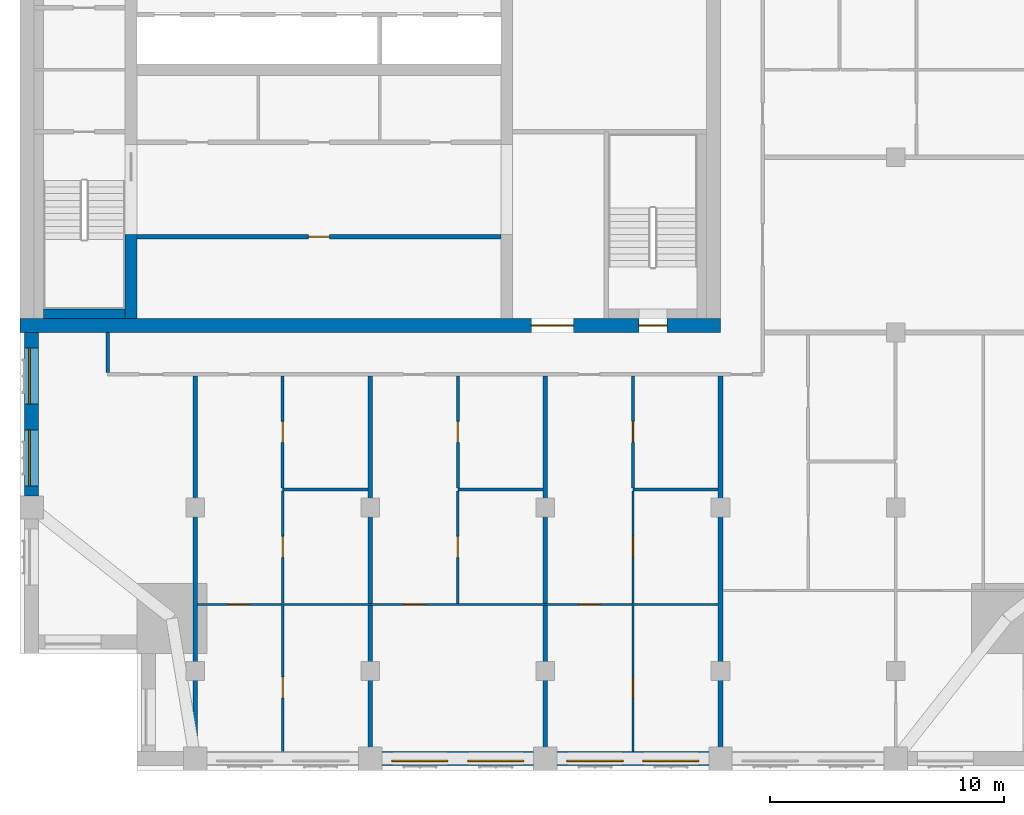
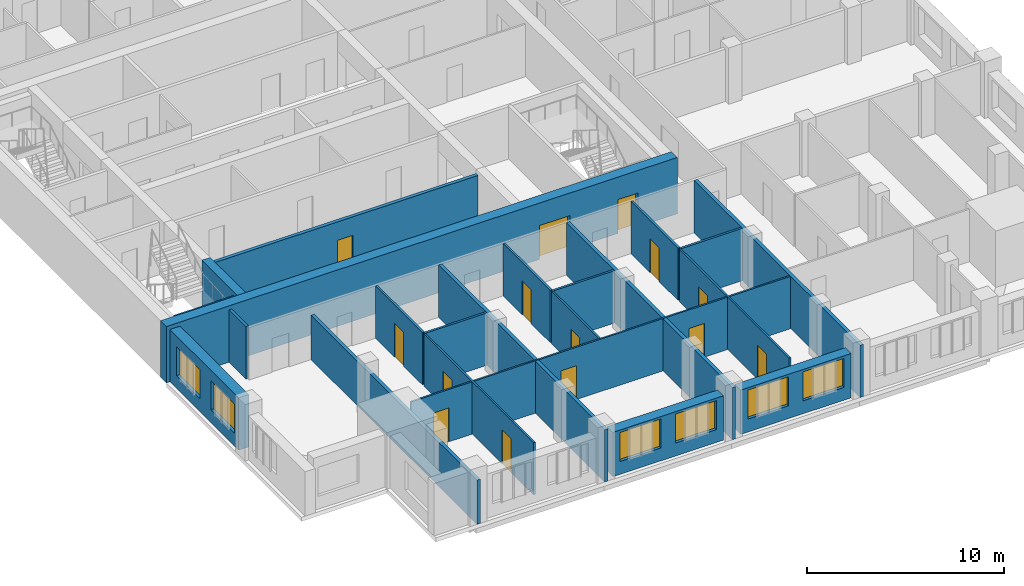
# One storey, part 3 of 11: 22 walls, 14 doors, 6 windows, 20 openings.
"""IFC4 building model written with IfcOpenShell, lengths in metres."""

import ifcopenshell
import ifcopenshell.guid

model = None  # the IFC model being written
_history = None  # IfcOwnerHistory: only IFC2X3 demands one
_inside = {}  # id of a spatial element -> (the spatial element, [elements in it])
_under = {}  # id of a project, library or spatial element -> (it, [spatial elements below it])
_declared = {}  # id of a project -> (the project, [libraries it declares])
_typed = {}  # id of a type object -> (the type object, [elements of that type])
_made_of = {}  # id of a material, layer set ... -> (it, [elements and type objects made of it])


def new_model(schema):
    """Start an empty IFC model of exactly this schema.

    Asked for "IFC4X3", IfcOpenShell would pick the latest addendum, in which some entities
    have other attributes; the version numbers below select the first issue.
    IFC2X3 requires an IfcOwnerHistory on every rooted entity: one is made here for all.
    """
    global model, _history
    if schema == "IFC4X3":
        model = ifcopenshell.file(schema_version=(4, 3, 0, 0))
    else:
        model = ifcopenshell.file(schema=schema)
    _inside.clear()
    _under.clear()
    _declared.clear()
    _typed.clear()
    _made_of.clear()
    _history = None
    if model.schema == "IFC2X3":
        org = make("IfcOrganization", Name="unknown")
        user = make(
            "IfcPersonAndOrganization",
            ThePerson=make("IfcPerson", FamilyName="unknown"),
            TheOrganization=org,
        )
        app = make(
            "IfcApplication",
            ApplicationDeveloper=org,
            Version="unknown",
            ApplicationFullName="unknown",
            ApplicationIdentifier="unknown",
        )
        _history = make(
            "IfcOwnerHistory",
            OwningUser=user,
            OwningApplication=app,
            ChangeAction="ADDED",
            CreationDate=0,
        )
    return model


def make(cls, **values):
    """One entity of the class cls with the attributes given. An attribute that is None is left unset."""
    return model.create_entity(
        cls, **{name: value for name, value in values.items() if value is not None}
    )


def rooted(cls, **values):
    """An entity with a GlobalId (a new one), such as an element, a storey or a relation."""
    return make(cls, GlobalId=ifcopenshell.guid.new(), OwnerHistory=_history, **values)


def si_unit(unit_type, name, prefix=None):
    """IfcSIUnit, for example si_unit("LENGTHUNIT", "METRE", prefix="MILLI")."""
    return make("IfcSIUnit", UnitType=unit_type, Prefix=prefix, Name=name)


def assignment(units):
    """IfcUnitAssignment: the units of a project."""
    return None if units is None else make("IfcUnitAssignment", Units=units)


def point(xyz):
    """IfcCartesianPoint."""
    return None if xyz is None else make("IfcCartesianPoint", Coordinates=xyz)


def direction(xyz):
    """IfcDirection."""
    return None if xyz is None else make("IfcDirection", DirectionRatios=xyz)


def frame(location, z_axis=None, x_axis=None):
    """IfcAxis2Placement3D, a coordinate frame: its origin and axes. An axis left out is left unset."""
    return make(
        "IfcAxis2Placement3D",
        Location=point(location),
        Axis=direction(z_axis),
        RefDirection=direction(x_axis),
    )


def frame_2d(location, x_axis=None):
    """IfcAxis2Placement2D, a coordinate frame in the plane: its origin and x axis."""
    return make(
        "IfcAxis2Placement2D", Location=point(location), RefDirection=direction(x_axis)
    )


def origin():
    """The frame at (0, 0, 0) with its axes left unset."""
    return frame((0.0, 0.0, 0.0))


def place(relative_to, where):
    """IfcLocalPlacement: puts the frame where relative to a parent placement (None: the world)."""
    return make(
        "IfcLocalPlacement", PlacementRelTo=relative_to, RelativePlacement=where
    )


def context(
    kind, dimensions, precision=None, world=None, true_north=None, identifier=None
):
    """IfcGeometricRepresentationContext, for example the 3D "Model" context."""
    return make(
        "IfcGeometricRepresentationContext",
        ContextIdentifier=identifier,
        ContextType=kind,
        CoordinateSpaceDimension=dimensions,
        Precision=precision,
        WorldCoordinateSystem=world,
        TrueNorth=true_north,
    )


def subcontext(parent, identifier, kind, view, scale=None):
    """IfcGeometricRepresentationSubContext, for example "Body" below "Model"."""
    return make(
        "IfcGeometricRepresentationSubContext",
        ContextIdentifier=identifier,
        ContextType=kind,
        ParentContext=parent,
        TargetScale=scale,
        TargetView=view,
    )


def project(units=None, contexts=None):
    """IfcProject with its units and contexts."""
    return rooted(
        "IfcProject",
        Name="project",
        RepresentationContexts=contexts,
        UnitsInContext=assignment(units),
    )


def spatial(cls, under=None, at=None, **own):
    """A site, building, storey or space (cls), placed at a placement, below another one or the project."""
    s = rooted(cls, ObjectPlacement=at, **own)
    if under is not None:
        _under.setdefault(under.id(), (under, []))[1].append(s)
    return s


def profile(cls, at=None, kind="AREA", **sizes):
    """A parametric profile (cls). Its sizes go by their IFC names, for example OverallWidth=200.0."""
    return make(cls, ProfileType=kind, Position=at, **sizes)


def rectangle(**sizes):
    """IfcRectangleProfileDef."""
    return profile("IfcRectangleProfileDef", **sizes)


def extrude(swept, where, along, depth):
    """IfcExtrudedAreaSolid: the profile swept, set in the frame where, extruded along a direction by depth."""
    return make(
        "IfcExtrudedAreaSolid",
        SweptArea=swept,
        Position=where,
        ExtrudedDirection=direction(along),
        Depth=depth,
    )


def shape(context_of_items, identifier, shape_type, items):
    """IfcShapeRepresentation: the items that make up one representation, for example the "Body"."""
    return make(
        "IfcShapeRepresentation",
        ContextOfItems=context_of_items,
        RepresentationIdentifier=identifier,
        RepresentationType=shape_type,
        Items=items,
    )


def material(Name=None, Category=None):
    """IfcMaterial."""
    return make("IfcMaterial", Name=Name, Category=Category)


def layer(
    of_material, thickness, ventilated=None, Name=None, Category=None, Priority=None
):
    """IfcMaterialLayer: one layer of a wall or slab, of a material (None: an air gap)."""
    return make(
        "IfcMaterialLayer",
        Material=of_material,
        LayerThickness=thickness,
        IsVentilated=ventilated,
        Name=Name,
        Category=Category,
        Priority=Priority,
    )


def layer_set(layers, Name=None):
    """IfcMaterialLayerSet."""
    return make("IfcMaterialLayerSet", MaterialLayers=layers, LayerSetName=Name)


def made_of(thing, what):
    """Note that an element or type object is made of a material, layer set ...; save() writes the relation."""
    if what is not None:
        _made_of.setdefault(what.id(), (what, []))[1].append(thing)
    return thing


def type_object(cls, material=None, **own):
    """A type object (cls), such as IfcWallType, which elements share."""
    return made_of(rooted(cls, **own), material)


def element(
    cls,
    number,
    at=None,
    inside=None,
    cuts=None,
    type_object=None,
    material=None,
    context=None,
    identifier="Body",
    shape_type=None,
    held_by="IfcProductDefinitionShape",
    body=None,
    shapes=None,
    **own,
):
    """One element of the class cls, such as IfcWall. Its Tag is "e" and its number.

    at: its placement. inside: the storey or other place that contains it. cuts: it is an
    opening in that element (IfcRelVoidsElement). A single representation is given by context,
    identifier, shape_type and body (its items); several are given by shapes. held_by: the class
    of the entity that holds the representations. save() writes the other relations.
    """
    e = rooted(cls, Tag="e%d" % number, ObjectPlacement=at, **own)
    if body is not None:
        shapes = [shape(context, identifier, shape_type, body)]
    if shapes is not None:
        e.Representation = make(held_by, Representations=shapes)
    if inside is not None:
        _inside.setdefault(inside.id(), (inside, []))[1].append(e)
    if cuts is not None:
        rooted(
            "IfcRelVoidsElement", RelatingBuildingElement=cuts, RelatedOpeningElement=e
        )
    if type_object is not None:
        _typed.setdefault(type_object.id(), (type_object, []))[1].append(e)
    return made_of(e, material)


def fill(opening, filler):
    """IfcRelFillsElement: the door or window that sits in an opening."""
    return rooted(
        "IfcRelFillsElement",
        RelatingOpeningElement=opening,
        RelatedBuildingElement=filler,
    )


def aggregate(whole, parts):
    """IfcRelAggregates: a whole, such as a stair, and the parts it consists of."""
    return rooted("IfcRelAggregates", RelatingObject=whole, RelatedObjects=parts)


def save(model, path):
    """Write the relations noted so far, then the file.

    IfcRelAggregates (storeys below a building ...), IfcRelContainedInSpatialStructure (elements
    in a storey), IfcRelDefinesByType, IfcRelAssociatesMaterial and IfcRelDeclares: one each for
    every whole, place, type object, material and project.
    """
    for whole, parts in _under.values():
        aggregate(whole, parts)
    for where, things in _inside.values():
        rooted(
            "IfcRelContainedInSpatialStructure",
            RelatedElements=things,
            RelatingStructure=where,
        )
    for kind, things in _typed.values():
        rooted("IfcRelDefinesByType", RelatedObjects=things, RelatingType=kind)
    for what, things in _made_of.values():
        rooted("IfcRelAssociatesMaterial", RelatedObjects=things, RelatingMaterial=what)
    for by, libraries in _declared.values():
        rooted("IfcRelDeclares", RelatingContext=by, RelatedDefinitions=libraries)
    model.write(path)


model = new_model("IFC4")

# Units and contexts
model_context = context("Model", 3, precision=1e-05, world=origin(), true_north=direction((0.0, 1.0)))
body_context = subcontext(model_context, "Body", "Model", "MODEL_VIEW")
ifc_project = project(units=[si_unit("LENGTHUNIT", "METRE"), si_unit("AREAUNIT", "SQUARE_METRE"), si_unit("VOLUMEUNIT", "CUBIC_METRE"), si_unit("PLANEANGLEUNIT", "RADIAN"), si_unit("MASSUNIT", "GRAM", prefix="KILO")], contexts=[model_context])

# Site, building, storey
site_placement = place(None, origin())
site = spatial("IfcSite", under=ifc_project, at=site_placement, CompositionType="ELEMENT")
building_placement = place(site_placement, origin())
building = spatial("IfcBuilding", under=site, at=building_placement, Name="Tamorin Gate", CompositionType="ELEMENT")
storey_placement = place(building_placement, frame((0.0, 0.0, 240.699951171875)))
storey = spatial("IfcBuildingStorey", under=building, at=storey_placement, Name="L60", CompositionType="ELEMENT", Elevation=240.699951171875)

# Wall, openings, windows
ifc_material_1 = material(Name="Precast concrete C40/50", Category="concrete")
ifc_layer_1 = layer(ifc_material_1, 0.60009765625)
ifc_layer_set_1 = layer_set([ifc_layer_1], Name="Precast concrete C40/50")
wall_type_1 = type_object("IfcWallType", Name="Board-marked concrete facade panel 600", PredefinedType="SOLIDWALL", material=ifc_layer_set_1)
wall_1_placement = place(storey_placement, frame((45.5, 41.75, 0.0), z_axis=(0.0, 0.0, 1.0), x_axis=(1.0, 0.0, 0.0)))
wall_1 = element("IfcWall", 1, at=wall_1_placement, inside=storey, type_object=wall_type_1, Name="Facade panel", PredefinedType="SOLIDWALL", context=body_context, shape_type="SweptSolid", body=[
    extrude(rectangle(XDim=6.5, YDim=0.60009765625, at=frame_2d((3.25, 0.0))), origin(), (0.0, 0.0, 1.0), 2.75),
])
opening_1_placement = place(wall_1_placement, frame((0.425048828125, 0.0, 0.800048828125)))
opening_1 = element("IfcOpeningElement", 2, at=opening_1_placement, cuts=wall_1, Name="Opening WN1", PredefinedType="OPENING", context=body_context, shape_type="SweptSolid", body=[
    extrude(rectangle(XDim=2.39990234375, YDim=1.800048828125, at=frame_2d((1.199951171875, 0.89990234375))), frame((0.0, 0.31005859375, 0.0), z_axis=(0.0, -1.0, 0.0), x_axis=(1.0, 0.0, 0.0)), (0.0, 0.0, 1.0), 0.6201171875),
])
opening_2_placement = place(wall_1_placement, frame((3.675048828125, 0.0, 0.800048828125)))
opening_2 = element("IfcOpeningElement", 3, at=opening_2_placement, cuts=wall_1, Name="Opening WN1", PredefinedType="OPENING", context=body_context, shape_type="SweptSolid", body=[
    extrude(rectangle(XDim=2.39990234375, YDim=1.800048828125, at=frame_2d((1.199951171875, 0.89990234375))), frame((0.0, 0.31005859375, 0.0), z_axis=(0.0, -1.0, 0.0), x_axis=(1.0, 0.0, 0.0)), (0.0, 0.0, 1.0), 0.6201171875),
])
ifc_material_2 = material(Name="Clear glass in aluminium frame", Category="aluminium")
window_type = type_object("IfcWindowType", Name="Deep-set window 2400x1800", PartitioningType="SINGLE_PANEL", PredefinedType="WINDOW", material=ifc_material_2)
window_1_placement = place(opening_1_placement, origin())
window_1 = element("IfcWindow", 4, at=window_1_placement, inside=storey, type_object=window_type, Name="Deep-set window", OverallHeight=1.800048828125, OverallWidth=2.39990234375, PartitioningType="SINGLE_PANEL", PredefinedType="WINDOW", context=body_context, shape_type="SweptSolid", body=[
    extrude(rectangle(XDim=2.39990234375, YDim=1.800048828125, at=frame_2d((1.199951171875, 0.89990234375))), frame((0.0, -0.070068359375, 0.0), z_axis=(0.0, -1.0, 0.0), x_axis=(1.0, 0.0, 0.0)), (0.0, 0.0, 1.0), 0.06005859375),
])
fill(opening_1, window_1)
window_2_placement = place(opening_2_placement, origin())
window_2 = element("IfcWindow", 5, at=window_2_placement, inside=storey, type_object=window_type, Name="Deep-set window", OverallHeight=1.800048828125, OverallWidth=2.39990234375, PartitioningType="SINGLE_PANEL", PredefinedType="WINDOW", context=body_context, shape_type="SweptSolid", body=[
    extrude(rectangle(XDim=2.39990234375, YDim=1.800048828125, at=frame_2d((1.199951171875, 0.89990234375))), frame((0.0, -0.070068359375, 0.0), z_axis=(0.0, -1.0, 0.0), x_axis=(1.0, 0.0, 0.0)), (0.0, 0.0, 1.0), 0.06005859375),
])
fill(opening_2, window_2)

wall_2_placement = place(storey_placement, frame((53.0, 41.75, 0.0), z_axis=(0.0, 0.0, 1.0), x_axis=(1.0, 0.0, 0.0)))
wall_2 = element("IfcWall", 6, at=wall_2_placement, inside=storey, type_object=wall_type_1, Name="Facade panel", PredefinedType="SOLIDWALL", context=body_context, shape_type="SweptSolid", body=[
    extrude(rectangle(XDim=6.5, YDim=0.60009765625, at=frame_2d((3.25, 0.0))), origin(), (0.0, 0.0, 1.0), 2.75),
])
opening_3_placement = place(wall_2_placement, frame((0.425048828125, 0.0, 0.800048828125)))
opening_3 = element("IfcOpeningElement", 7, at=opening_3_placement, cuts=wall_2, Name="Opening WN1", PredefinedType="OPENING", context=body_context, shape_type="SweptSolid", body=[
    extrude(rectangle(XDim=2.39990234375, YDim=1.800048828125, at=frame_2d((1.199951171875, 0.89990234375))), frame((0.0, 0.31005859375, 0.0), z_axis=(0.0, -1.0, 0.0), x_axis=(1.0, 0.0, 0.0)), (0.0, 0.0, 1.0), 0.6201171875),
])
opening_4_placement = place(wall_2_placement, frame((3.675048828125, 0.0, 0.800048828125)))
opening_4 = element("IfcOpeningElement", 8, at=opening_4_placement, cuts=wall_2, Name="Opening WN1", PredefinedType="OPENING", context=body_context, shape_type="SweptSolid", body=[
    extrude(rectangle(XDim=2.39990234375, YDim=1.800048828125, at=frame_2d((1.199951171875, 0.89990234375))), frame((0.0, 0.31005859375, 0.0), z_axis=(0.0, -1.0, 0.0), x_axis=(1.0, 0.0, 0.0)), (0.0, 0.0, 1.0), 0.6201171875),
])
window_3_placement = place(opening_3_placement, origin())
window_3 = element("IfcWindow", 9, at=window_3_placement, inside=storey, type_object=window_type, Name="Deep-set window", OverallHeight=1.800048828125, OverallWidth=2.39990234375, PartitioningType="SINGLE_PANEL", PredefinedType="WINDOW", context=body_context, shape_type="SweptSolid", body=[
    extrude(rectangle(XDim=2.39990234375, YDim=1.800048828125, at=frame_2d((1.199951171875, 0.89990234375))), frame((0.0, -0.070068359375, 0.0), z_axis=(0.0, -1.0, 0.0), x_axis=(1.0, 0.0, 0.0)), (0.0, 0.0, 1.0), 0.06005859375),
])
fill(opening_3, window_3)
window_4_placement = place(opening_4_placement, origin())
window_4 = element("IfcWindow", 10, at=window_4_placement, inside=storey, type_object=window_type, Name="Deep-set window", OverallHeight=1.800048828125, OverallWidth=2.39990234375, PartitioningType="SINGLE_PANEL", PredefinedType="WINDOW", context=body_context, shape_type="SweptSolid", body=[
    extrude(rectangle(XDim=2.39990234375, YDim=1.800048828125, at=frame_2d((1.199951171875, 0.89990234375))), frame((0.0, -0.070068359375, 0.0), z_axis=(0.0, -1.0, 0.0), x_axis=(1.0, 0.0, 0.0)), (0.0, 0.0, 1.0), 0.06005859375),
])
fill(opening_4, window_4)

wall_3_placement = place(storey_placement, frame((30.5, 60.0, 0.0), z_axis=(0.0, 0.0, 1.0), x_axis=(0.0, -1.0, 0.0)))
wall_3 = element("IfcWall", 11, at=wall_3_placement, inside=storey, type_object=wall_type_1, Name="Facade panel", PredefinedType="SOLIDWALL", context=body_context, shape_type="SweptSolid", body=[
    extrude(rectangle(XDim=7.0, YDim=0.60009765625, at=frame_2d((3.5, 0.0))), origin(), (0.0, 0.0, 1.0), 3.25),
])
opening_5_placement = place(wall_3_placement, frame((4.175048828125, 0.0, 0.800048828125)))
opening_5 = element("IfcOpeningElement", 12, at=opening_5_placement, cuts=wall_3, Name="Opening WN1", PredefinedType="OPENING", context=body_context, shape_type="SweptSolid", body=[
    extrude(rectangle(XDim=2.39990234375, YDim=1.800048828125, at=frame_2d((1.199951171875, 0.89990234375))), frame((0.0, 0.31005859375, 0.0), z_axis=(0.0, -1.0, 0.0), x_axis=(1.0, 0.0, 0.0)), (0.0, 0.0, 1.0), 0.6201171875),
])
opening_6_placement = place(wall_3_placement, frame((0.675048828125, 0.0, 0.800048828125)))
opening_6 = element("IfcOpeningElement", 13, at=opening_6_placement, cuts=wall_3, Name="Opening WN1", PredefinedType="OPENING", context=body_context, shape_type="SweptSolid", body=[
    extrude(rectangle(XDim=2.39990234375, YDim=1.800048828125, at=frame_2d((1.199951171875, 0.89990234375))), frame((0.0, 0.31005859375, 0.0), z_axis=(0.0, -1.0, 0.0), x_axis=(1.0, 0.0, 0.0)), (0.0, 0.0, 1.0), 0.6201171875),
])
window_5_placement = place(opening_5_placement, origin())
window_5 = element("IfcWindow", 14, at=window_5_placement, inside=storey, type_object=window_type, Name="Deep-set window", OverallHeight=1.800048828125, OverallWidth=2.39990234375, PartitioningType="SINGLE_PANEL", PredefinedType="WINDOW", context=body_context, shape_type="SweptSolid", body=[
    extrude(rectangle(XDim=2.39990234375, YDim=1.800048828125, at=frame_2d((1.199951171875, 0.89990234375))), frame((0.0, -0.070068359375, 0.0), z_axis=(0.0, -1.0, 0.0), x_axis=(1.0, 0.0, 0.0)), (0.0, 0.0, 1.0), 0.06005859375),
])
fill(opening_5, window_5)
window_6_placement = place(opening_6_placement, origin())
window_6 = element("IfcWindow", 15, at=window_6_placement, inside=storey, type_object=window_type, Name="Deep-set window", OverallHeight=1.800048828125, OverallWidth=2.39990234375, PartitioningType="SINGLE_PANEL", PredefinedType="WINDOW", context=body_context, shape_type="SweptSolid", body=[
    extrude(rectangle(XDim=2.39990234375, YDim=1.800048828125, at=frame_2d((1.199951171875, 0.89990234375))), frame((0.0, -0.070068359375, 0.0), z_axis=(0.0, -1.0, 0.0), x_axis=(1.0, 0.0, 0.0)), (0.0, 0.0, 1.0), 0.06005859375),
])
fill(opening_6, window_6)

# Walls
ifc_material_3 = material(Name="Gypsum board partition")
ifc_layer_2 = layer(ifc_material_3, 0.14990234375)
ifc_layer_set_2 = layer_set([ifc_layer_2], Name="Corridor wall 150")
wall_type_2 = type_object("IfcWallType", Name="Corridor wall 150", PredefinedType="PARTITIONING", material=ifc_layer_set_2)
wall_4_placement = place(storey_placement, frame((33.75, 58.27490234375, 0.0), z_axis=(0.0, 0.0, 1.0), x_axis=(0.0, 1.0, 0.0)))
element("IfcWall", 16, at=wall_4_placement, inside=storey, type_object=wall_type_2, Name="Corridor wall 150", PredefinedType="PARTITIONING", context=body_context, shape_type="SweptSolid", body=[
    extrude(rectangle(XDim=1.72509765625, YDim=0.14990234375, at=frame_2d((0.862548828125, 0.0))), origin(), (0.0, 0.0, 1.0), 3.25),
])
ifc_layer_3 = layer(ifc_material_3, 0.199951171875)
ifc_layer_set_3 = layer_set([ifc_layer_3], Name="Demising wall 200")
wall_type_3 = type_object("IfcWallType", Name="Demising wall 200", PredefinedType="PARTITIONING", material=ifc_layer_set_3)
wall_5_placement = place(storey_placement, frame((37.5, 41.25, 0.0), z_axis=(0.0, 0.0, 1.0), x_axis=(0.0, 1.0, 0.0)))
element("IfcWall", 17, at=wall_5_placement, inside=storey, type_object=wall_type_3, Name="Demising wall 200", PredefinedType="PARTITIONING", context=body_context, shape_type="SweptSolid", body=[
    extrude(rectangle(XDim=16.875, YDim=0.199951171875, at=frame_2d((8.4375, 0.0))), origin(), (0.0, 0.0, 1.0), 2.75),
])
for number, where, z_axis, x_axis, name in (
    (18, (45.0, 41.25, 0.0), (0.0, 0.0, 1.0), (0.0, 1.0, 0.0), "Demising wall 200"),
    (19, (52.5, 41.25, 0.0), (0.0, 0.0, 1.0), (0.0, 1.0, 0.0), "Demising wall 200"),
    (20, (60.0, 41.25, 0.0), (0.0, 0.0, 1.0), (0.0, 1.0, 0.0), "Demising wall 200"),
):
    element("IfcWall", number, at=place(storey_placement, frame(where, z_axis=z_axis, x_axis=x_axis)), inside=storey, type_object=wall_type_3, Name=name, PredefinedType="PARTITIONING", context=body_context, shape_type="SweptSolid", body=[
        extrude(rectangle(XDim=16.875, YDim=0.199951171875, at=frame_2d((8.4375, 0.0))), origin(), (0.0, 0.0, 1.0), 3.25),
    ])
ifc_material_4 = material(Name="Concrete C50/60", Category="concrete")
ifc_layer_4 = layer(ifc_material_4, 0.5)
ifc_layer_set_4 = layer_set([ifc_layer_4], Name="RC core internal wall 500 C50/60")
wall_type_4 = type_object("IfcWallType", Name="RC core internal wall 500 C50/60", PredefinedType="SHEAR", material=ifc_layer_set_4)
wall_6_placement = place(storey_placement, frame((34.75, 60.60009765625, 0.0), z_axis=(0.0, 0.0, 1.0), x_axis=(0.0, 1.0, 0.0)))
element("IfcWall", 21, at=wall_6_placement, inside=storey, type_object=wall_type_4, Name="Core cross wall L60", PredefinedType="SHEAR", context=body_context, shape_type="SweptSolid", body=[
    extrude(rectangle(XDim=3.599853515625, YDim=0.5, at=frame_2d((1.7998046875, 0.0))), origin(), (0.0, 0.0, 1.0), 3.5),
])

# Wall, openings, doors
ifc_layer_5 = layer(ifc_material_4, 0.60009765625)
ifc_layer_set_5 = layer_set([ifc_layer_5], Name="RC core wall 600 C50/60")
wall_type_5 = type_object("IfcWallType", Name="RC core wall 600 C50/60", PredefinedType="SHEAR", material=ifc_layer_set_5)
wall_7_placement = place(storey_placement, frame((30.0, 60.300048828125, 0.0), z_axis=(0.0, 0.0, 1.0), x_axis=(1.0, 0.0, 0.0)))
wall_7 = element("IfcWall", 22, at=wall_7_placement, inside=storey, type_object=wall_type_5, Name="Core wall L60", PredefinedType="SHEAR", context=body_context, shape_type="SweptSolid", body=[
    extrude(rectangle(XDim=30.0, YDim=0.60009765625, at=frame_2d((15.0, 0.0))), origin(), (0.0, 0.0, 1.0), 3.5),
])
opening_7_placement = place(wall_7_placement, frame((21.89990234375, 0.0, 0.0)))
opening_7 = element("IfcOpeningElement", 23, at=opening_7_placement, cuts=wall_7, Name="Opening DE1", PredefinedType="OPENING", context=body_context, shape_type="SweptSolid", body=[
    extrude(rectangle(XDim=1.800048828125, YDim=2.10009765625, at=frame_2d((0.89990234375, 1.050048828125))), frame((0.0, 0.31005859375, 0.0), z_axis=(0.0, -1.0, 0.0), x_axis=(1.0, 0.0, 0.0)), (0.0, 0.0, 1.0), 0.6201171875),
])
opening_8_placement = place(wall_7_placement, frame((26.5, 0.0, 0.0)))
opening_8 = element("IfcOpeningElement", 24, at=opening_8_placement, cuts=wall_7, Name="Opening DS1", PredefinedType="OPENING", context=body_context, shape_type="SweptSolid", body=[
    extrude(rectangle(XDim=1.199951171875, YDim=2.10009765625, at=frame_2d((0.60009765625, 1.050048828125))), frame((0.0, 0.31005859375, 0.0), z_axis=(0.0, -1.0, 0.0), x_axis=(1.0, 0.0, 0.0)), (0.0, 0.0, 1.0), 0.6201171875),
])
ifc_material_5 = material(Name="Steel fire door", Category="steel")
door_type_1 = type_object("IfcDoorType", Name="Lobby exit double door 1800 x 2100 EI 60", OperationType="DOUBLE_DOOR_SINGLE_SWING", PredefinedType="DOOR", material=ifc_material_5)
door_1_placement = place(opening_7_placement, origin())
door_1 = element("IfcDoor", 25, at=door_1_placement, inside=storey, type_object=door_type_1, Name="Lift lobby A exit door", OperationType="DOUBLE_DOOR_SINGLE_SWING", OverallHeight=2.10009765625, OverallWidth=1.800048828125, PredefinedType="DOOR", context=body_context, shape_type="SweptSolid", body=[
    extrude(rectangle(XDim=1.800048828125, YDim=2.10009765625, at=frame_2d((0.89990234375, 1.050048828125))), frame((0.0, 0.02490234375, 0.0), z_axis=(0.0, -1.0, 0.0), x_axis=(1.0, 0.0, 0.0)), (0.0, 0.0, 1.0), 0.050048828125),
])
fill(opening_7, door_1)
door_type_2 = type_object("IfcDoorType", Name="Stair door 1200 x 2100 EI 90", OperationType="SINGLE_SWING_LEFT", PredefinedType="DOOR", material=ifc_material_5)
door_2_placement = place(opening_8_placement, origin())
door_2 = element("IfcDoor", 26, at=door_2_placement, inside=storey, type_object=door_type_2, Name="ST3 door", OperationType="SINGLE_SWING_LEFT", OverallHeight=2.10009765625, OverallWidth=1.199951171875, PredefinedType="DOOR", context=body_context, shape_type="SweptSolid", body=[
    extrude(rectangle(XDim=1.199951171875, YDim=2.10009765625, at=frame_2d((0.60009765625, 1.050048828125))), frame((0.0, 0.02490234375, 0.0), z_axis=(0.0, -1.0, 0.0), x_axis=(1.0, 0.0, 0.0)), (0.0, 0.0, 1.0), 0.050048828125),
])
fill(opening_8, door_2)

ifc_layer_6 = layer(ifc_material_3, 0.10009765625)
ifc_layer_set_6 = layer_set([ifc_layer_6], Name="Room partition 100")
wall_type_6 = type_object("IfcWallType", Name="Room partition 100", PredefinedType="PARTITIONING", material=ifc_layer_set_6)
wall_8_placement = place(storey_placement, frame((37.60009765625, 48.35009765625, 0.0), z_axis=(0.0, 0.0, 1.0), x_axis=(1.0, 0.0, 0.0)))
wall_8 = element("IfcWall", 27, at=wall_8_placement, inside=storey, type_object=wall_type_6, Name="Room partition 100", PredefinedType="PARTITIONING", context=body_context, shape_type="SweptSolid", body=[
    extrude(rectangle(XDim=22.2998046875, YDim=0.10009765625, at=frame_2d((11.14990234375, 0.0))), origin(), (0.0, 0.0, 1.0), 3.25),
])
opening_9_placement = place(wall_8_placement, frame((1.324951171875, 0.0, 0.0)))
opening_9 = element("IfcOpeningElement", 28, at=opening_9_placement, cuts=wall_8, Name="Opening DR6003", PredefinedType="OPENING", context=body_context, shape_type="SweptSolid", body=[
    extrude(rectangle(XDim=0.89990234375, YDim=2.10009765625, at=frame_2d((0.449951171875, 1.050048828125))), frame((0.0, 0.06005859375, 0.0), z_axis=(0.0, -1.0, 0.0), x_axis=(1.0, 0.0, 0.0)), (0.0, 0.0, 1.0), 0.1201171875),
])
opening_10_placement = place(wall_8_placement, frame((8.824951171875, 0.0, 0.0)))
opening_10 = element("IfcOpeningElement", 29, at=opening_10_placement, cuts=wall_8, Name="Opening DR6008", PredefinedType="OPENING", context=body_context, shape_type="SweptSolid", body=[
    extrude(rectangle(XDim=0.89990234375, YDim=2.10009765625, at=frame_2d((0.449951171875, 1.050048828125))), frame((0.0, 0.06005859375, 0.0), z_axis=(0.0, -1.0, 0.0), x_axis=(1.0, 0.0, 0.0)), (0.0, 0.0, 1.0), 0.1201171875),
])
opening_11_placement = place(wall_8_placement, frame((16.324951171875, 0.0, 0.0)))
opening_11 = element("IfcOpeningElement", 30, at=opening_11_placement, cuts=wall_8, Name="Opening DR6012", PredefinedType="OPENING", context=body_context, shape_type="SweptSolid", body=[
    extrude(rectangle(XDim=0.89990234375, YDim=2.10009765625, at=frame_2d((0.449951171875, 1.050048828125))), frame((0.0, 0.06005859375, 0.0), z_axis=(0.0, -1.0, 0.0), x_axis=(1.0, 0.0, 0.0)), (0.0, 0.0, 1.0), 0.1201171875),
])
ifc_material_6 = material(Name="Timber door leaf", Category="wood")
door_type_3 = type_object("IfcDoorType", Name="Door 900 x 2100", OperationType="NOTDEFINED", PredefinedType="DOOR", material=ifc_material_6)
door_3_placement = place(opening_9_placement, origin())
door_3 = element("IfcDoor", 31, at=door_3_placement, inside=storey, type_object=door_type_3, Name="Door DR6003", OperationType="SINGLE_SWING_LEFT", OverallHeight=2.10009765625, OverallWidth=0.89990234375, PredefinedType="DOOR", context=body_context, shape_type="SweptSolid", body=[
    extrude(rectangle(XDim=0.89990234375, YDim=2.10009765625, at=frame_2d((0.449951171875, 1.050048828125))), frame((0.0, 0.02490234375, 0.0), z_axis=(0.0, -1.0, 0.0), x_axis=(1.0, 0.0, 0.0)), (0.0, 0.0, 1.0), 0.050048828125),
])
fill(opening_9, door_3)
door_4_placement = place(opening_10_placement, origin())
door_4 = element("IfcDoor", 32, at=door_4_placement, inside=storey, type_object=door_type_3, Name="Door DR6008", OperationType="SINGLE_SWING_LEFT", OverallHeight=2.10009765625, OverallWidth=0.89990234375, PredefinedType="DOOR", context=body_context, shape_type="SweptSolid", body=[
    extrude(rectangle(XDim=0.89990234375, YDim=2.10009765625, at=frame_2d((0.449951171875, 1.050048828125))), frame((0.0, 0.02490234375, 0.0), z_axis=(0.0, -1.0, 0.0), x_axis=(1.0, 0.0, 0.0)), (0.0, 0.0, 1.0), 0.050048828125),
])
fill(opening_10, door_4)
door_5_placement = place(opening_11_placement, origin())
door_5 = element("IfcDoor", 33, at=door_5_placement, inside=storey, type_object=door_type_3, Name="Door DR6012", OperationType="SINGLE_SWING_LEFT", OverallHeight=2.10009765625, OverallWidth=0.89990234375, PredefinedType="DOOR", context=body_context, shape_type="SweptSolid", body=[
    extrude(rectangle(XDim=0.89990234375, YDim=2.10009765625, at=frame_2d((0.449951171875, 1.050048828125))), frame((0.0, 0.02490234375, 0.0), z_axis=(0.0, -1.0, 0.0), x_axis=(1.0, 0.0, 0.0)), (0.0, 0.0, 1.0), 0.050048828125),
])
fill(opening_11, door_5)

wall_9_placement = place(storey_placement, frame((41.25, 42.06005859375, 0.0), z_axis=(0.0, 0.0, 1.0), x_axis=(0.0, 1.0, 0.0)))
wall_9 = element("IfcWall", 34, at=wall_9_placement, inside=storey, type_object=wall_type_6, Name="Room partition 100", PredefinedType="PARTITIONING", context=body_context, shape_type="SweptSolid", body=[
    extrude(rectangle(XDim=11.15234375, YDim=0.10009765625, at=frame_2d((5.576171875, 0.0))), origin(), (0.0, 0.0, 1.0), 3.25),
])
opening_12_placement = place(wall_9_placement, frame((8.302490234375, 0.0, 0.0)))
opening_12 = element("IfcOpeningElement", 35, at=opening_12_placement, cuts=wall_9, Name="Opening DR6004", PredefinedType="OPENING", context=body_context, shape_type="SweptSolid", body=[
    extrude(rectangle(XDim=0.89990234375, YDim=2.10009765625, at=frame_2d((0.449951171875, 1.050048828125))), frame((0.0, 0.06005859375, 0.0), z_axis=(0.0, -1.0, 0.0), x_axis=(1.0, 0.0, 0.0)), (0.0, 0.0, 1.0), 0.1201171875),
])
opening_13_placement = place(wall_9_placement, frame((2.2900390625, 0.0, 0.0)))
opening_13 = element("IfcOpeningElement", 36, at=opening_13_placement, cuts=wall_9, Name="Opening DR6006", PredefinedType="OPENING", context=body_context, shape_type="SweptSolid", body=[
    extrude(rectangle(XDim=0.89990234375, YDim=2.10009765625, at=frame_2d((0.449951171875, 1.050048828125))), frame((0.0, 0.06005859375, 0.0), z_axis=(0.0, -1.0, 0.0), x_axis=(1.0, 0.0, 0.0)), (0.0, 0.0, 1.0), 0.1201171875),
])
door_6_placement = place(opening_12_placement, origin())
door_6 = element("IfcDoor", 37, at=door_6_placement, inside=storey, type_object=door_type_3, Name="Door DR6004", OperationType="SINGLE_SWING_LEFT", OverallHeight=2.10009765625, OverallWidth=0.89990234375, PredefinedType="DOOR", context=body_context, shape_type="SweptSolid", body=[
    extrude(rectangle(XDim=0.89990234375, YDim=2.10009765625, at=frame_2d((0.449951171875, 1.050048828125))), frame((0.0, 0.02490234375, 0.0), z_axis=(0.0, -1.0, 0.0), x_axis=(1.0, 0.0, 0.0)), (0.0, 0.0, 1.0), 0.050048828125),
])
fill(opening_12, door_6)
door_7_placement = place(opening_13_placement, origin())
door_7 = element("IfcDoor", 38, at=door_7_placement, inside=storey, type_object=door_type_3, Name="Door DR6006", OperationType="SINGLE_SWING_LEFT", OverallHeight=2.10009765625, OverallWidth=0.89990234375, PredefinedType="DOOR", context=body_context, shape_type="SweptSolid", body=[
    extrude(rectangle(XDim=0.89990234375, YDim=2.10009765625, at=frame_2d((0.449951171875, 1.050048828125))), frame((0.0, 0.02490234375, 0.0), z_axis=(0.0, -1.0, 0.0), x_axis=(1.0, 0.0, 0.0)), (0.0, 0.0, 1.0), 0.050048828125),
])
fill(opening_13, door_7)

# Wall, opening, door
wall_10_placement = place(storey_placement, frame((48.75, 48.39990234375, 0.0), z_axis=(0.0, 0.0, 1.0), x_axis=(0.0, 1.0, 0.0)))
wall_10 = element("IfcWall", 39, at=wall_10_placement, inside=storey, type_object=wall_type_6, Name="Room partition 100", PredefinedType="PARTITIONING", context=body_context, shape_type="SweptSolid", body=[
    extrude(rectangle(XDim=4.8125, YDim=0.10009765625, at=frame_2d((2.40625, 0.0))), origin(), (0.0, 0.0, 1.0), 3.25),
])
opening_14_placement = place(wall_10_placement, frame((1.96240234375, 0.0, 0.0)))
opening_14 = element("IfcOpeningElement", 40, at=opening_14_placement, cuts=wall_10, Name="Opening DR6009", PredefinedType="OPENING", context=body_context, shape_type="SweptSolid", body=[
    extrude(rectangle(XDim=0.89990234375, YDim=2.10009765625, at=frame_2d((0.449951171875, 1.050048828125))), frame((0.0, 0.06005859375, 0.0), z_axis=(0.0, -1.0, 0.0), x_axis=(1.0, 0.0, 0.0)), (0.0, 0.0, 1.0), 0.1201171875),
])
door_8_placement = place(opening_14_placement, origin())
door_8 = element("IfcDoor", 41, at=door_8_placement, inside=storey, type_object=door_type_3, Name="Door DR6009", OperationType="SINGLE_SWING_LEFT", OverallHeight=2.10009765625, OverallWidth=0.89990234375, PredefinedType="DOOR", context=body_context, shape_type="SweptSolid", body=[
    extrude(rectangle(XDim=0.89990234375, YDim=2.10009765625, at=frame_2d((0.449951171875, 1.050048828125))), frame((0.0, 0.02490234375, 0.0), z_axis=(0.0, -1.0, 0.0), x_axis=(1.0, 0.0, 0.0)), (0.0, 0.0, 1.0), 0.050048828125),
])
fill(opening_14, door_8)

# Wall, openings, doors
wall_11_placement = place(storey_placement, frame((56.25, 42.06005859375, 0.0), z_axis=(0.0, 0.0, 1.0), x_axis=(0.0, 1.0, 0.0)))
wall_11 = element("IfcWall", 42, at=wall_11_placement, inside=storey, type_object=wall_type_6, Name="Room partition 100", PredefinedType="PARTITIONING", context=body_context, shape_type="SweptSolid", body=[
    extrude(rectangle(XDim=11.15234375, YDim=0.10009765625, at=frame_2d((5.576171875, 0.0))), origin(), (0.0, 0.0, 1.0), 3.25),
])
opening_15_placement = place(wall_11_placement, frame((8.302490234375, 0.0, 0.0)))
opening_15 = element("IfcOpeningElement", 43, at=opening_15_placement, cuts=wall_11, Name="Opening DR6013", PredefinedType="OPENING", context=body_context, shape_type="SweptSolid", body=[
    extrude(rectangle(XDim=0.89990234375, YDim=2.10009765625, at=frame_2d((0.449951171875, 1.050048828125))), frame((0.0, 0.06005859375, 0.0), z_axis=(0.0, -1.0, 0.0), x_axis=(1.0, 0.0, 0.0)), (0.0, 0.0, 1.0), 0.1201171875),
])
opening_16_placement = place(wall_11_placement, frame((2.2900390625, 0.0, 0.0)))
opening_16 = element("IfcOpeningElement", 44, at=opening_16_placement, cuts=wall_11, Name="Opening DR6015", PredefinedType="OPENING", context=body_context, shape_type="SweptSolid", body=[
    extrude(rectangle(XDim=0.89990234375, YDim=2.10009765625, at=frame_2d((0.449951171875, 1.050048828125))), frame((0.0, 0.06005859375, 0.0), z_axis=(0.0, -1.0, 0.0), x_axis=(1.0, 0.0, 0.0)), (0.0, 0.0, 1.0), 0.1201171875),
])
door_9_placement = place(opening_15_placement, origin())
door_9 = element("IfcDoor", 45, at=door_9_placement, inside=storey, type_object=door_type_3, Name="Door DR6013", OperationType="SINGLE_SWING_LEFT", OverallHeight=2.10009765625, OverallWidth=0.89990234375, PredefinedType="DOOR", context=body_context, shape_type="SweptSolid", body=[
    extrude(rectangle(XDim=0.89990234375, YDim=2.10009765625, at=frame_2d((0.449951171875, 1.050048828125))), frame((0.0, 0.02490234375, 0.0), z_axis=(0.0, -1.0, 0.0), x_axis=(1.0, 0.0, 0.0)), (0.0, 0.0, 1.0), 0.050048828125),
])
fill(opening_15, door_9)
door_10_placement = place(opening_16_placement, origin())
door_10 = element("IfcDoor", 46, at=door_10_placement, inside=storey, type_object=door_type_3, Name="Door DR6015", OperationType="SINGLE_SWING_LEFT", OverallHeight=2.10009765625, OverallWidth=0.89990234375, PredefinedType="DOOR", context=body_context, shape_type="SweptSolid", body=[
    extrude(rectangle(XDim=0.89990234375, YDim=2.10009765625, at=frame_2d((0.449951171875, 1.050048828125))), frame((0.0, 0.02490234375, 0.0), z_axis=(0.0, -1.0, 0.0), x_axis=(1.0, 0.0, 0.0)), (0.0, 0.0, 1.0), 0.050048828125),
])
fill(opening_16, door_10)

# Wall, opening, door
ifc_layer_7 = layer(ifc_material_3, 0.199951171875)
ifc_layer_set_7 = layer_set([ifc_layer_7], Name="Service room face wall 200 EI 60")
wall_type_7 = type_object("IfcWallType", Name="Service room face wall 200 EI 60", PredefinedType="PARTITIONING", material=ifc_layer_set_7)
wall_12_placement = place(storey_placement, frame((35.0, 64.10009765625, 0.0), z_axis=(0.0, 0.0, 1.0), x_axis=(1.0, 0.0, 0.0)))
wall_12 = element("IfcWall", 47, at=wall_12_placement, inside=storey, type_object=wall_type_7, Name="Service room face wall", PredefinedType="PARTITIONING", context=body_context, shape_type="SweptSolid", body=[
    extrude(rectangle(XDim=15.60009765625, YDim=0.199951171875, at=frame_2d((7.800048828125, 0.0))), origin(), (0.0, 0.0, 1.0), 3.25),
])
opening_17_placement = place(wall_12_placement, frame((7.35009765625, 0.0, 0.0)))
opening_17 = element("IfcOpeningElement", 48, at=opening_17_placement, cuts=wall_12, Name="Opening DK1", PredefinedType="OPENING", context=body_context, shape_type="SweptSolid", body=[
    extrude(rectangle(XDim=0.89990234375, YDim=2.10009765625, at=frame_2d((0.449951171875, 1.050048828125))), frame((0.0, 0.10986328125, 0.0), z_axis=(0.0, -1.0, 0.0), x_axis=(1.0, 0.0, 0.0)), (0.0, 0.0, 1.0), 0.219970703125),
])
ifc_material_7 = material(Name="Timber fire door", Category="wood")
door_type_4 = type_object("IfcDoorType", Name="Service room door 900 x 2100 EI 60", OperationType="SINGLE_SWING_LEFT", PredefinedType="DOOR", material=ifc_material_7)
door_11_placement = place(opening_17_placement, origin())
door_11 = element("IfcDoor", 49, at=door_11_placement, inside=storey, type_object=door_type_4, Name="Door Housekeeping store", OperationType="SINGLE_SWING_RIGHT", OverallHeight=2.10009765625, OverallWidth=0.89990234375, PredefinedType="DOOR", context=body_context, shape_type="SweptSolid", body=[
    extrude(rectangle(XDim=0.89990234375, YDim=2.10009765625, at=frame_2d((0.449951171875, 1.050048828125))), frame((0.0, 0.02490234375, 0.0), z_axis=(0.0, -1.0, 0.0), x_axis=(1.0, 0.0, 0.0)), (0.0, 0.0, 1.0), 0.050048828125),
])
fill(opening_17, door_11)

# Walls
ifc_layer_8 = layer(ifc_material_4, 0.39990234375)
ifc_layer_set_8 = layer_set([ifc_layer_8], Name="Stair lining wall 400 EI 120 C50/60")
wall_type_8 = type_object("IfcWallType", Name="Stair lining wall 400 EI 120 C50/60", PredefinedType="SOLIDWALL", material=ifc_layer_set_8)
wall_13_placement = place(storey_placement, frame((31.0, 60.800048828125, 0.0), z_axis=(0.0, 0.0, 1.0), x_axis=(1.0, 0.0, 0.0)))
element("IfcWall", 50, at=wall_13_placement, inside=storey, type_object=wall_type_8, Name="Stair lining wall", PredefinedType="SOLIDWALL", context=body_context, shape_type="SweptSolid", body=[
    extrude(rectangle(XDim=3.5, YDim=0.39990234375, at=frame_2d((1.75, 0.0))), origin(), (0.0, 0.0, 1.0), 3.25),
])
ifc_layer_9 = layer(ifc_material_3, 0.125)
ifc_layer_set_9 = layer_set([ifc_layer_9], Name="Wet wall 125")
wall_type_9 = type_object("IfcWallType", Name="Wet wall 125", PredefinedType="PARTITIONING", material=ifc_layer_set_9)
for number, where, z_axis, x_axis, name in (
    (51, (41.25, 53.27490234375, 0.0), (0.0, 0.0, 1.0), (1.0, 0.0, 0.0), "Wet wall 125"),
    (52, (48.75, 53.27490234375, 0.0), (0.0, 0.0, 1.0), (1.0, 0.0, 0.0), "Wet wall 125"),
    (53, (56.25, 53.27490234375, 0.0), (0.0, 0.0, 1.0), (1.0, 0.0, 0.0), "Wet wall 125"),
):
    element("IfcWall", number, at=place(storey_placement, frame(where, z_axis=z_axis, x_axis=x_axis)), inside=storey, type_object=wall_type_9, Name=name, PredefinedType="PARTITIONING", context=body_context, shape_type="SweptSolid", body=[
        extrude(rectangle(XDim=3.64990234375, YDim=0.125, at=frame_2d((1.824951171875, 0.0))), origin(), (0.0, 0.0, 1.0), 3.25),
    ])

# Wall, opening, door
wall_14_placement = place(storey_placement, frame((41.25, 53.33740234375, 0.0), z_axis=(0.0, 0.0, 1.0), x_axis=(0.0, 1.0, 0.0)))
wall_14 = element("IfcWall", 54, at=wall_14_placement, inside=storey, type_object=wall_type_9, Name="Wet wall 125", PredefinedType="PARTITIONING", context=body_context, shape_type="SweptSolid", body=[
    extrude(rectangle(XDim=4.78759765625, YDim=0.125, at=frame_2d((2.393798828125, 0.0))), origin(), (0.0, 0.0, 1.0), 3.25),
])
opening_18_placement = place(wall_14_placement, frame((1.949951171875, 0.0, 0.0)))
opening_18 = element("IfcOpeningElement", 55, at=opening_18_placement, cuts=wall_14, Name="Opening DR6005", PredefinedType="OPENING", context=body_context, shape_type="SweptSolid", body=[
    extrude(rectangle(XDim=0.89990234375, YDim=2.10009765625, at=frame_2d((0.449951171875, 1.050048828125))), frame((0.0, 0.072509765625, 0.0), z_axis=(0.0, -1.0, 0.0), x_axis=(1.0, 0.0, 0.0)), (0.0, 0.0, 1.0), 0.14501953125),
])
door_12_placement = place(opening_18_placement, origin())
door_12 = element("IfcDoor", 56, at=door_12_placement, inside=storey, type_object=door_type_3, Name="Door DR6005", OperationType="SINGLE_SWING_RIGHT", OverallHeight=2.10009765625, OverallWidth=0.89990234375, PredefinedType="DOOR", context=body_context, shape_type="SweptSolid", body=[
    extrude(rectangle(XDim=0.89990234375, YDim=2.10009765625, at=frame_2d((0.449951171875, 1.050048828125))), frame((0.0, 0.02490234375, 0.0), z_axis=(0.0, -1.0, 0.0), x_axis=(1.0, 0.0, 0.0)), (0.0, 0.0, 1.0), 0.050048828125),
])
fill(opening_18, door_12)

wall_15_placement = place(storey_placement, frame((48.75, 53.33740234375, 0.0), z_axis=(0.0, 0.0, 1.0), x_axis=(0.0, 1.0, 0.0)))
wall_15 = element("IfcWall", 57, at=wall_15_placement, inside=storey, type_object=wall_type_9, Name="Wet wall 125", PredefinedType="PARTITIONING", context=body_context, shape_type="SweptSolid", body=[
    extrude(rectangle(XDim=4.78759765625, YDim=0.125, at=frame_2d((2.393798828125, 0.0))), origin(), (0.0, 0.0, 1.0), 3.25),
])
opening_19_placement = place(wall_15_placement, frame((1.949951171875, 0.0, 0.0)))
opening_19 = element("IfcOpeningElement", 58, at=opening_19_placement, cuts=wall_15, Name="Opening DR6010", PredefinedType="OPENING", context=body_context, shape_type="SweptSolid", body=[
    extrude(rectangle(XDim=0.89990234375, YDim=2.10009765625, at=frame_2d((0.449951171875, 1.050048828125))), frame((0.0, 0.072509765625, 0.0), z_axis=(0.0, -1.0, 0.0), x_axis=(1.0, 0.0, 0.0)), (0.0, 0.0, 1.0), 0.14501953125),
])
door_13_placement = place(opening_19_placement, origin())
door_13 = element("IfcDoor", 59, at=door_13_placement, inside=storey, type_object=door_type_3, Name="Door DR6010", OperationType="SINGLE_SWING_RIGHT", OverallHeight=2.10009765625, OverallWidth=0.89990234375, PredefinedType="DOOR", context=body_context, shape_type="SweptSolid", body=[
    extrude(rectangle(XDim=0.89990234375, YDim=2.10009765625, at=frame_2d((0.449951171875, 1.050048828125))), frame((0.0, 0.02490234375, 0.0), z_axis=(0.0, -1.0, 0.0), x_axis=(1.0, 0.0, 0.0)), (0.0, 0.0, 1.0), 0.050048828125),
])
fill(opening_19, door_13)

wall_16_placement = place(storey_placement, frame((56.25, 53.33740234375, 0.0), z_axis=(0.0, 0.0, 1.0), x_axis=(0.0, 1.0, 0.0)))
wall_16 = element("IfcWall", 60, at=wall_16_placement, inside=storey, type_object=wall_type_9, Name="Wet wall 125", PredefinedType="PARTITIONING", context=body_context, shape_type="SweptSolid", body=[
    extrude(rectangle(XDim=4.78759765625, YDim=0.125, at=frame_2d((2.393798828125, 0.0))), origin(), (0.0, 0.0, 1.0), 3.25),
])
opening_20_placement = place(wall_16_placement, frame((1.949951171875, 0.0, 0.0)))
opening_20 = element("IfcOpeningElement", 61, at=opening_20_placement, cuts=wall_16, Name="Opening DR6014", PredefinedType="OPENING", context=body_context, shape_type="SweptSolid", body=[
    extrude(rectangle(XDim=0.89990234375, YDim=2.10009765625, at=frame_2d((0.449951171875, 1.050048828125))), frame((0.0, 0.072509765625, 0.0), z_axis=(0.0, -1.0, 0.0), x_axis=(1.0, 0.0, 0.0)), (0.0, 0.0, 1.0), 0.14501953125),
])
door_14_placement = place(opening_20_placement, origin())
door_14 = element("IfcDoor", 62, at=door_14_placement, inside=storey, type_object=door_type_3, Name="Door DR6014", OperationType="SINGLE_SWING_RIGHT", OverallHeight=2.10009765625, OverallWidth=0.89990234375, PredefinedType="DOOR", context=body_context, shape_type="SweptSolid", body=[
    extrude(rectangle(XDim=0.89990234375, YDim=2.10009765625, at=frame_2d((0.449951171875, 1.050048828125))), frame((0.0, 0.02490234375, 0.0), z_axis=(0.0, -1.0, 0.0), x_axis=(1.0, 0.0, 0.0)), (0.0, 0.0, 1.0), 0.050048828125),
])
fill(opening_20, door_14)

save(model, "model.ifc")
